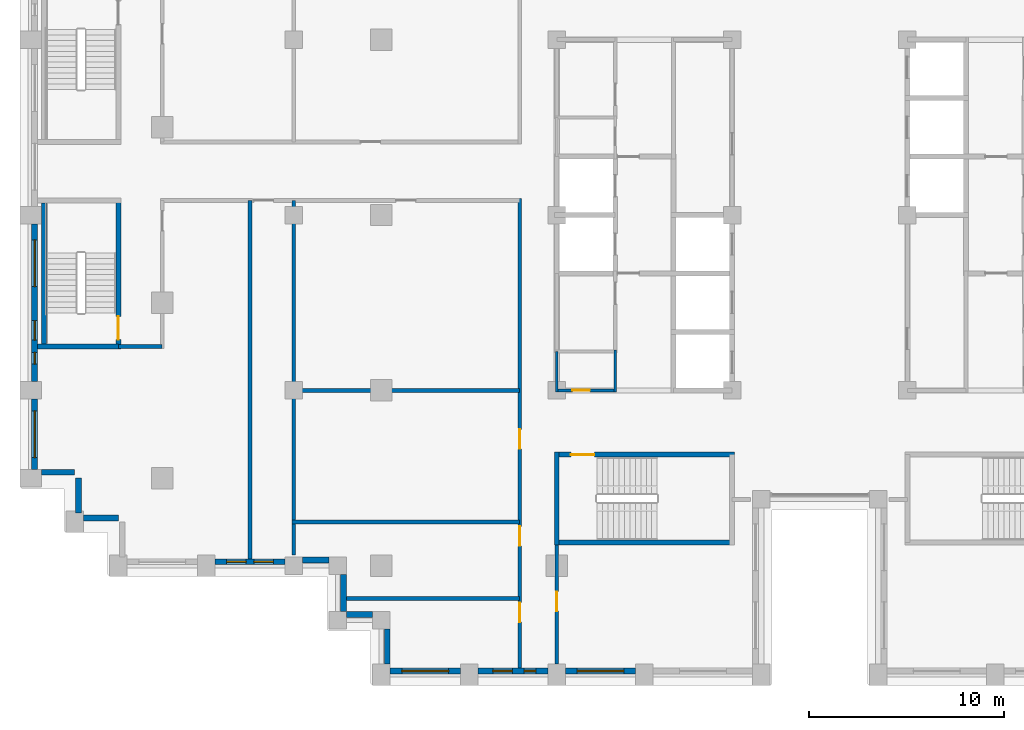
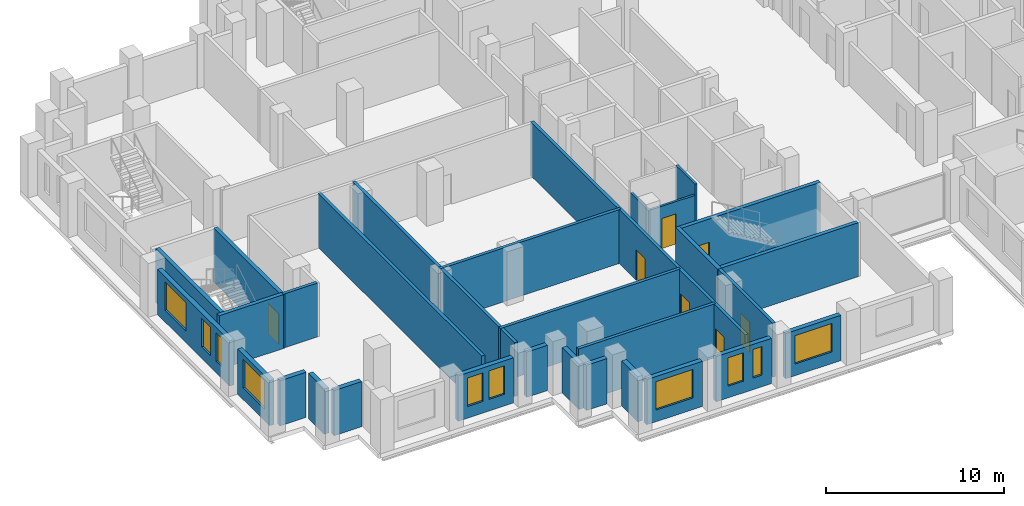
# One storey, part 6 of 15: 30 walls, 10 windows, 7 doors, 17 openings.
"""IFC4 building model written with IfcOpenShell, lengths in metres."""

from ifc_helpers import new_model, si_unit, direction, frame, frame_2d, origin, place, context, subcontext, project, spatial, rectangle, extrude, material, layer, layer_set, type_object, element, fill, save


model = new_model("IFC4")

# Units and contexts
model_context = context("Model", 3, precision=1e-05, world=origin(), true_north=direction((0.0, 1.0)))
body_context = subcontext(model_context, "Body", "Model", "MODEL_VIEW")
ifc_project = project(units=[si_unit("LENGTHUNIT", "METRE"), si_unit("AREAUNIT", "SQUARE_METRE"), si_unit("VOLUMEUNIT", "CUBIC_METRE"), si_unit("PLANEANGLEUNIT", "RADIAN"), si_unit("MASSUNIT", "GRAM", prefix="KILO")], contexts=[model_context])

# Site, building, storey
site_placement = place(None, origin())
site = spatial("IfcSite", under=ifc_project, at=site_placement, CompositionType="ELEMENT")
building_placement = place(site_placement, origin())
building = spatial("IfcBuilding", under=site, at=building_placement, Name="Corbelhall Arena Tower", CompositionType="ELEMENT")
storey_placement = place(building_placement, frame((0.0, 0.0, 146.0)))
storey = spatial("IfcBuildingStorey", under=building, at=storey_placement, Name="L28", CompositionType="ELEMENT", Elevation=146.0)

# Walls
ifc_material_1 = material(Name="Precast concrete C40/50 with granite facing", Category="masonry")
ifc_layer_1 = layer(ifc_material_1, 0.300048828125)
ifc_layer_set_1 = layer_set([ifc_layer_1], Name="EV-IW1 Infill panel 300")
wall_type_1 = type_object("IfcWallType", Name="EV-IW1 Infill panel 300", PredefinedType="SOLIDWALL", material=ifc_layer_set_1)
wall_1_placement = place(storey_placement, frame((-39.949951171875, -13.199951171875, 0.0), z_axis=(0.0, 0.0, 1.0), x_axis=(1.0, 0.0, 0.0)))
element("IfcWall", 1, at=wall_1_placement, inside=storey, type_object=wall_type_1, Name="Infill panel IW1", PredefinedType="SOLIDWALL", context=body_context, shape_type="SweptSolid", body=[
    extrude(rectangle(XDim=1.699951171875, YDim=0.300048828125, at=frame_2d((0.85009765625, 0.0))), origin(), (0.0, 0.0, 1.0), 3.10009765625),
])
for number, where, z_axis, x_axis, name in (
    (2, (-38.050048828125, -15.300048828125, 0.0), (0.0, 0.0, 1.0), (0.0, 1.0, 0.0), "Infill panel IW1"),
    (3, (-37.800048828125, -15.550048828125, 0.0), (0.0, 0.0, 1.0), (1.0, 0.0, 0.0), "Infill panel IW1"),
):
    element("IfcWall", number, at=place(storey_placement, frame(where, z_axis=z_axis, x_axis=x_axis)), inside=storey, type_object=wall_type_1, Name=name, PredefinedType="SOLIDWALL", context=body_context, shape_type="SweptSolid", body=[
        extrude(rectangle(XDim=1.800048828125, YDim=0.300048828125, at=frame_2d((0.89990234375, 0.0))), origin(), (0.0, 0.0, 1.0), 3.10009765625),
    ])

# Wall, openings, windows
wall_2_placement = place(storey_placement, frame((-40.300048828125, -0.449951171875, 0.0), z_axis=(0.0, 0.0, 1.0), x_axis=(0.0, -1.0, 0.0)))
wall_2 = element("IfcWall", 4, at=wall_2_placement, inside=storey, type_object=wall_type_1, Name="Infill panel IW1", PredefinedType="SOLIDWALL", context=body_context, shape_type="SweptSolid", body=[
    extrude(rectangle(XDim=8.10009765625, YDim=0.300048828125, at=frame_2d((4.050048828125, 0.0))), origin(), (0.0, 0.0, 1.0), 3.10009765625),
])
opening_1_placement = place(wall_2_placement, frame((0.824951171875, 0.0, 0.800048828125)))
opening_1 = element("IfcOpeningElement", 5, at=opening_1_placement, cuts=wall_2, Name="Opening WN1", PredefinedType="OPENING", context=body_context, shape_type="SweptSolid", body=[
    extrude(rectangle(XDim=2.39990234375, YDim=1.949951171875, at=frame_2d((1.199951171875, 0.97509765625))), frame((0.0, 0.14990234375, 0.0), z_axis=(0.0, -1.0, 0.0), x_axis=(1.0, 0.0, 0.0)), (0.0, 0.0, 1.0), 0.300048828125),
])
opening_2_placement = place(wall_2_placement, frame((4.97509765625, 0.0, 0.800048828125)))
opening_2 = element("IfcOpeningElement", 6, at=opening_2_placement, cuts=wall_2, Name="Opening WN6", PredefinedType="OPENING", context=body_context, shape_type="SweptSolid", body=[
    extrude(rectangle(XDim=1.0, YDim=1.949951171875, at=frame_2d((0.5, 0.97509765625))), frame((0.0, 0.14990234375, 0.0), z_axis=(0.0, -1.0, 0.0), x_axis=(1.0, 0.0, 0.0)), (0.0, 0.0, 1.0), 0.300048828125),
])
opening_3_placement = place(wall_2_placement, frame((6.60009765625, 0.0, 0.800048828125)))
opening_3 = element("IfcOpeningElement", 7, at=opening_3_placement, cuts=wall_2, Name="Opening WN5", PredefinedType="OPENING", context=body_context, shape_type="SweptSolid", body=[
    extrude(rectangle(XDim=0.60009765625, YDim=1.949951171875, at=frame_2d((0.300048828125, 0.97509765625))), frame((0.0, 0.14990234375, 0.0), z_axis=(0.0, -1.0, 0.0), x_axis=(1.0, 0.0, 0.0)), (0.0, 0.0, 1.0), 0.300048828125),
])
ifc_material_2 = material(Name="Aluminium black anodised", Category="aluminium")
window_type_1 = type_object("IfcWindowType", Name="EV-WN1 Office window", PartitioningType="SINGLE_PANEL", PredefinedType="WINDOW", material=ifc_material_2)
window_1_placement = place(opening_1_placement, origin())
window_1 = element("IfcWindow", 8, at=window_1_placement, inside=storey, type_object=window_type_1, Name="Window WN1", OverallHeight=1.949951171875, OverallWidth=2.39990234375, PartitioningType="SINGLE_PANEL", PredefinedType="WINDOW", context=body_context, shape_type="SweptSolid", body=[
    extrude(rectangle(XDim=2.39990234375, YDim=1.949951171875, at=frame_2d((1.199951171875, 0.97509765625))), frame((0.0, 0.030029296875, 0.0), z_axis=(0.0, -1.0, 0.0), x_axis=(1.0, 0.0, 0.0)), (0.0, 0.0, 1.0), 0.06005859375),
])
fill(opening_1, window_1)
window_type_2 = type_object("IfcWindowType", Name="EV-WN5 Office window 600", PartitioningType="SINGLE_PANEL", PredefinedType="WINDOW", material=ifc_material_2)
window_2_placement = place(opening_3_placement, origin())
window_2 = element("IfcWindow", 9, at=window_2_placement, inside=storey, type_object=window_type_2, Name="Window WN5", OverallHeight=1.949951171875, OverallWidth=0.60009765625, PartitioningType="SINGLE_PANEL", PredefinedType="WINDOW", context=body_context, shape_type="SweptSolid", body=[
    extrude(rectangle(XDim=0.60009765625, YDim=1.949951171875, at=frame_2d((0.300048828125, 0.97509765625))), frame((0.0, 0.030029296875, 0.0), z_axis=(0.0, -1.0, 0.0), x_axis=(1.0, 0.0, 0.0)), (0.0, 0.0, 1.0), 0.06005859375),
])
fill(opening_3, window_2)
window_type_3 = type_object("IfcWindowType", Name="EV-WN6 Office window 1000", PartitioningType="SINGLE_PANEL", PredefinedType="WINDOW", material=ifc_material_2)
window_3_placement = place(opening_2_placement, origin())
window_3 = element("IfcWindow", 10, at=window_3_placement, inside=storey, type_object=window_type_3, Name="Window WN6", OverallHeight=1.949951171875, OverallWidth=1.0, PartitioningType="SINGLE_PANEL", PredefinedType="WINDOW", context=body_context, shape_type="SweptSolid", body=[
    extrude(rectangle(XDim=1.0, YDim=1.949951171875, at=frame_2d((0.5, 0.97509765625))), frame((0.0, 0.030029296875, 0.0), z_axis=(0.0, -1.0, 0.0), x_axis=(1.0, 0.0, 0.0)), (0.0, 0.0, 1.0), 0.06005859375),
])
fill(opening_2, window_3)

# Wall, opening, window
wall_3_placement = place(storey_placement, frame((-40.300048828125, -9.449951171875, 0.0), z_axis=(0.0, 0.0, 1.0), x_axis=(0.0, -1.0, 0.0)))
wall_3 = element("IfcWall", 11, at=wall_3_placement, inside=storey, type_object=wall_type_1, Name="Infill panel IW1", PredefinedType="SOLIDWALL", context=body_context, shape_type="SweptSolid", body=[
    extrude(rectangle(XDim=3.60009765625, YDim=0.300048828125, at=frame_2d((1.800048828125, 0.0))), origin(), (0.0, 0.0, 1.0), 3.10009765625),
])
opening_4_placement = place(wall_3_placement, frame((0.60009765625, 0.0, 0.800048828125)))
opening_4 = element("IfcOpeningElement", 12, at=opening_4_placement, cuts=wall_3, Name="Opening WN1", PredefinedType="OPENING", context=body_context, shape_type="SweptSolid", body=[
    extrude(rectangle(XDim=2.39990234375, YDim=1.949951171875, at=frame_2d((1.199951171875, 0.97509765625))), frame((0.0, 0.14990234375, 0.0), z_axis=(0.0, -1.0, 0.0), x_axis=(1.0, 0.0, 0.0)), (0.0, 0.0, 1.0), 0.300048828125),
])
window_4_placement = place(opening_4_placement, origin())
window_4 = element("IfcWindow", 13, at=window_4_placement, inside=storey, type_object=window_type_1, Name="Window WN1", OverallHeight=1.949951171875, OverallWidth=2.39990234375, PartitioningType="SINGLE_PANEL", PredefinedType="WINDOW", context=body_context, shape_type="SweptSolid", body=[
    extrude(rectangle(XDim=2.39990234375, YDim=1.949951171875, at=frame_2d((1.199951171875, 0.97509765625))), frame((0.0, 0.030029296875, 0.0), z_axis=(0.0, -1.0, 0.0), x_axis=(1.0, 0.0, 0.0)), (0.0, 0.0, 1.0), 0.06005859375),
])
fill(opening_4, window_4)

# Wall, openings, windows
wall_4_placement = place(storey_placement, frame((-31.050048828125, -17.800048828125, 0.0), z_axis=(0.0, 0.0, 1.0), x_axis=(1.0, 0.0, 0.0)))
wall_4 = element("IfcWall", 14, at=wall_4_placement, inside=storey, type_object=wall_type_1, Name="Infill panel IW1", PredefinedType="SOLIDWALL", context=body_context, shape_type="SweptSolid", body=[
    extrude(rectangle(XDim=3.60009765625, YDim=0.300048828125, at=frame_2d((1.800048828125, 0.0))), origin(), (0.0, 0.0, 1.0), 3.10009765625),
])
opening_5_placement = place(wall_4_placement, frame((0.60009765625, 0.0, 0.800048828125)))
opening_5 = element("IfcOpeningElement", 15, at=opening_5_placement, cuts=wall_4, Name="Opening WN6", PredefinedType="OPENING", context=body_context, shape_type="SweptSolid", body=[
    extrude(rectangle(XDim=1.0, YDim=1.949951171875, at=frame_2d((0.5, 0.97509765625))), frame((0.0, 0.14990234375, 0.0), z_axis=(0.0, -1.0, 0.0), x_axis=(1.0, 0.0, 0.0)), (0.0, 0.0, 1.0), 0.300048828125),
])
opening_6_placement = place(wall_4_placement, frame((2.0, 0.0, 0.800048828125)))
opening_6 = element("IfcOpeningElement", 16, at=opening_6_placement, cuts=wall_4, Name="Opening WN6", PredefinedType="OPENING", context=body_context, shape_type="SweptSolid", body=[
    extrude(rectangle(XDim=1.0, YDim=1.949951171875, at=frame_2d((0.5, 0.97509765625))), frame((0.0, 0.14990234375, 0.0), z_axis=(0.0, -1.0, 0.0), x_axis=(1.0, 0.0, 0.0)), (0.0, 0.0, 1.0), 0.300048828125),
])
window_5_placement = place(opening_5_placement, origin())
window_5 = element("IfcWindow", 17, at=window_5_placement, inside=storey, type_object=window_type_3, Name="Window WN6", OverallHeight=1.949951171875, OverallWidth=1.0, PartitioningType="SINGLE_PANEL", PredefinedType="WINDOW", context=body_context, shape_type="SweptSolid", body=[
    extrude(rectangle(XDim=1.0, YDim=1.949951171875, at=frame_2d((0.5, 0.97509765625))), frame((0.0, 0.030029296875, 0.0), z_axis=(0.0, -1.0, 0.0), x_axis=(1.0, 0.0, 0.0)), (0.0, 0.0, 1.0), 0.06005859375),
])
fill(opening_5, window_5)
window_6_placement = place(opening_6_placement, origin())
window_6 = element("IfcWindow", 18, at=window_6_placement, inside=storey, type_object=window_type_3, Name="Window WN6", OverallHeight=1.949951171875, OverallWidth=1.0, PartitioningType="SINGLE_PANEL", PredefinedType="WINDOW", context=body_context, shape_type="SweptSolid", body=[
    extrude(rectangle(XDim=1.0, YDim=1.949951171875, at=frame_2d((0.5, 0.97509765625))), frame((0.0, 0.030029296875, 0.0), z_axis=(0.0, -1.0, 0.0), x_axis=(1.0, 0.0, 0.0)), (0.0, 0.0, 1.0), 0.06005859375),
])
fill(opening_6, window_6)

# Walls
wall_5_placement = place(storey_placement, frame((-26.550048828125, -17.699951171875, 0.0), z_axis=(0.0, 0.0, 1.0), x_axis=(1.0, 0.0, 0.0)))
element("IfcWall", 19, at=wall_5_placement, inside=storey, type_object=wall_type_1, Name="Infill panel IW1", PredefinedType="SOLIDWALL", context=body_context, shape_type="SweptSolid", body=[
    extrude(rectangle(XDim=1.35009765625, YDim=0.300048828125, at=frame_2d((0.675048828125, 0.0))), origin(), (0.0, 0.0, 1.0), 3.10009765625),
])
wall_6_placement = place(storey_placement, frame((-24.449951171875, -18.449951171875, 0.0), z_axis=(0.0, 0.0, 1.0), x_axis=(0.0, -1.0, 0.0)))
element("IfcWall", 20, at=wall_6_placement, inside=storey, type_object=wall_type_1, Name="Infill panel IW1", PredefinedType="SOLIDWALL", context=body_context, shape_type="SweptSolid", body=[
    extrude(rectangle(XDim=1.900146484375, YDim=0.300048828125, at=frame_2d((0.9501953125, 0.0))), origin(), (0.0, 0.0, 1.0), 3.10009765625),
])
wall_7_placement = place(storey_placement, frame((-24.300048828125, -20.5, 0.0), z_axis=(0.0, 0.0, 1.0), x_axis=(1.0, 0.0, 0.0)))
element("IfcWall", 21, at=wall_7_placement, inside=storey, type_object=wall_type_1, Name="Infill panel IW1", PredefinedType="SOLIDWALL", context=body_context, shape_type="SweptSolid", body=[
    extrude(rectangle(XDim=1.35009765625, YDim=0.300048828125, at=frame_2d((0.675048828125, 0.0))), origin(), (0.0, 0.0, 1.0), 3.10009765625),
])
wall_8_placement = place(storey_placement, frame((-22.199951171875, -21.25, 0.0), z_axis=(0.0, 0.0, 1.0), x_axis=(0.0, -1.0, 0.0)))
element("IfcWall", 22, at=wall_8_placement, inside=storey, type_object=wall_type_1, Name="Infill panel IW1", PredefinedType="SOLIDWALL", context=body_context, shape_type="SweptSolid", body=[
    extrude(rectangle(XDim=1.800048828125, YDim=0.300048828125, at=frame_2d((0.89990234375, 0.0))), origin(), (0.0, 0.0, 1.0), 3.10009765625),
])

# Wall, opening, window
wall_9_placement = place(storey_placement, frame((-22.050048828125, -23.39990234375, 0.0), z_axis=(0.0, 0.0, 1.0), x_axis=(1.0, 0.0, 0.0)))
wall_9 = element("IfcWall", 23, at=wall_9_placement, inside=storey, type_object=wall_type_1, Name="Infill panel IW1", PredefinedType="SOLIDWALL", context=body_context, shape_type="SweptSolid", body=[
    extrude(rectangle(XDim=3.60009765625, YDim=0.300048828125, at=frame_2d((1.800048828125, 0.0))), origin(), (0.0, 0.0, 1.0), 3.10009765625),
])
opening_7_placement = place(wall_9_placement, frame((0.60009765625, 0.0, 0.800048828125)))
opening_7 = element("IfcOpeningElement", 24, at=opening_7_placement, cuts=wall_9, Name="Opening WN1", PredefinedType="OPENING", context=body_context, shape_type="SweptSolid", body=[
    extrude(rectangle(XDim=2.39990234375, YDim=1.949951171875, at=frame_2d((1.199951171875, 0.97509765625))), frame((0.0, 0.14990234375, 0.0), z_axis=(0.0, -1.0, 0.0), x_axis=(1.0, 0.0, 0.0)), (0.0, 0.0, 1.0), 0.300048828125),
])
window_7_placement = place(opening_7_placement, origin())
window_7 = element("IfcWindow", 25, at=window_7_placement, inside=storey, type_object=window_type_1, Name="Window WN1", OverallHeight=1.949951171875, OverallWidth=2.39990234375, PartitioningType="SINGLE_PANEL", PredefinedType="WINDOW", context=body_context, shape_type="SweptSolid", body=[
    extrude(rectangle(XDim=2.39990234375, YDim=1.949951171875, at=frame_2d((1.199951171875, 0.97509765625))), frame((0.0, 0.030029296875, 0.0), z_axis=(0.0, -1.0, 0.0), x_axis=(1.0, 0.0, 0.0)), (0.0, 0.0, 1.0), 0.06005859375),
])
fill(opening_7, window_7)

# Wall, openings, windows
wall_10_placement = place(storey_placement, frame((-17.550048828125, -23.39990234375, 0.0), z_axis=(0.0, 0.0, 1.0), x_axis=(1.0, 0.0, 0.0)))
wall_10 = element("IfcWall", 26, at=wall_10_placement, inside=storey, type_object=wall_type_1, Name="Infill panel IW1", PredefinedType="SOLIDWALL", context=body_context, shape_type="SweptSolid", body=[
    extrude(rectangle(XDim=3.60009765625, YDim=0.300048828125, at=frame_2d((1.800048828125, 0.0))), origin(), (0.0, 0.0, 1.0), 3.10009765625),
])
opening_8_placement = place(wall_10_placement, frame((0.77490234375, 0.0, 0.800048828125)))
opening_8 = element("IfcOpeningElement", 27, at=opening_8_placement, cuts=wall_10, Name="Opening WN6", PredefinedType="OPENING", context=body_context, shape_type="SweptSolid", body=[
    extrude(rectangle(XDim=1.0, YDim=1.949951171875, at=frame_2d((0.5, 0.97509765625))), frame((0.0, 0.14990234375, 0.0), z_axis=(0.0, -1.0, 0.0), x_axis=(1.0, 0.0, 0.0)), (0.0, 0.0, 1.0), 0.300048828125),
])
opening_9_placement = place(wall_10_placement, frame((2.375, 0.0, 0.800048828125)))
opening_9 = element("IfcOpeningElement", 28, at=opening_9_placement, cuts=wall_10, Name="Opening WN5", PredefinedType="OPENING", context=body_context, shape_type="SweptSolid", body=[
    extrude(rectangle(XDim=0.60009765625, YDim=1.949951171875, at=frame_2d((0.300048828125, 0.97509765625))), frame((0.0, 0.14990234375, 0.0), z_axis=(0.0, -1.0, 0.0), x_axis=(1.0, 0.0, 0.0)), (0.0, 0.0, 1.0), 0.300048828125),
])
window_8_placement = place(opening_9_placement, origin())
window_8 = element("IfcWindow", 29, at=window_8_placement, inside=storey, type_object=window_type_2, Name="Window WN5", OverallHeight=1.949951171875, OverallWidth=0.60009765625, PartitioningType="SINGLE_PANEL", PredefinedType="WINDOW", context=body_context, shape_type="SweptSolid", body=[
    extrude(rectangle(XDim=0.60009765625, YDim=1.949951171875, at=frame_2d((0.300048828125, 0.97509765625))), frame((0.0, 0.030029296875, 0.0), z_axis=(0.0, -1.0, 0.0), x_axis=(1.0, 0.0, 0.0)), (0.0, 0.0, 1.0), 0.06005859375),
])
fill(opening_9, window_8)
window_9_placement = place(opening_8_placement, origin())
window_9 = element("IfcWindow", 30, at=window_9_placement, inside=storey, type_object=window_type_3, Name="Window WN6", OverallHeight=1.949951171875, OverallWidth=1.0, PartitioningType="SINGLE_PANEL", PredefinedType="WINDOW", context=body_context, shape_type="SweptSolid", body=[
    extrude(rectangle(XDim=1.0, YDim=1.949951171875, at=frame_2d((0.5, 0.97509765625))), frame((0.0, 0.030029296875, 0.0), z_axis=(0.0, -1.0, 0.0), x_axis=(1.0, 0.0, 0.0)), (0.0, 0.0, 1.0), 0.06005859375),
])
fill(opening_8, window_9)

# Wall, opening, window
wall_11_placement = place(storey_placement, frame((-13.050048828125, -23.39990234375, 0.0), z_axis=(0.0, 0.0, 1.0), x_axis=(1.0, 0.0, 0.0)))
wall_11 = element("IfcWall", 31, at=wall_11_placement, inside=storey, type_object=wall_type_1, Name="Infill panel IW1", PredefinedType="SOLIDWALL", context=body_context, shape_type="SweptSolid", body=[
    extrude(rectangle(XDim=3.60009765625, YDim=0.300048828125, at=frame_2d((1.800048828125, 0.0))), origin(), (0.0, 0.0, 1.0), 3.10009765625),
])
opening_10_placement = place(wall_11_placement, frame((0.60009765625, 0.0, 0.800048828125)))
opening_10 = element("IfcOpeningElement", 32, at=opening_10_placement, cuts=wall_11, Name="Opening WN1", PredefinedType="OPENING", context=body_context, shape_type="SweptSolid", body=[
    extrude(rectangle(XDim=2.39990234375, YDim=1.949951171875, at=frame_2d((1.199951171875, 0.97509765625))), frame((0.0, 0.14990234375, 0.0), z_axis=(0.0, -1.0, 0.0), x_axis=(1.0, 0.0, 0.0)), (0.0, 0.0, 1.0), 0.300048828125),
])
window_10_placement = place(opening_10_placement, origin())
window_10 = element("IfcWindow", 33, at=window_10_placement, inside=storey, type_object=window_type_1, Name="Window WN1", OverallHeight=1.949951171875, OverallWidth=2.39990234375, PartitioningType="SINGLE_PANEL", PredefinedType="WINDOW", context=body_context, shape_type="SweptSolid", body=[
    extrude(rectangle(XDim=2.39990234375, YDim=1.949951171875, at=frame_2d((1.199951171875, 0.97509765625))), frame((0.0, 0.030029296875, 0.0), z_axis=(0.0, -1.0, 0.0), x_axis=(1.0, 0.0, 0.0)), (0.0, 0.0, 1.0), 0.06005859375),
])
fill(opening_10, window_10)

# Walls
ifc_material_3 = material(Name="Gypsum board on steel stud, acoustic", Category="steel")
ifc_layer_2 = layer(ifc_material_3, 0.199951171875)
ifc_layer_set_2 = layer_set([ifc_layer_2], Name="IN-W-DM200")
wall_type_2 = type_object("IfcWallType", Name="IN-W-DM200", PredefinedType="PARTITIONING", material=ifc_layer_set_2)
wall_12_placement = place(storey_placement, frame((-33.75, -6.75, 0.0), z_axis=(0.0, 0.0, 1.0), x_axis=(-1.0, 0.0, 0.0)))
element("IfcWall", 34, at=wall_12_placement, inside=storey, type_object=wall_type_2, Name="Partition 003", PredefinedType="PARTITIONING", context=body_context, shape_type="SweptSolid", body=[
    extrude(rectangle(XDim=2.25, YDim=0.199951171875, at=frame_2d((1.125, 0.0))), origin(), (0.0, 0.0, 1.0), 3.699951171875),
])
wall_13_placement = place(storey_placement, frame((-29.25, 0.75, 0.0), z_axis=(0.0, 0.0, 1.0), x_axis=(0.0, -1.0, 0.0)))
element("IfcWall", 35, at=wall_13_placement, inside=storey, type_object=wall_type_2, Name="Partition 006", PredefinedType="PARTITIONING", context=body_context, shape_type="SweptSolid", body=[
    extrude(rectangle(XDim=18.39990234375, YDim=0.199951171875, at=frame_2d((9.199951171875, 0.0))), origin(), (0.0, 0.0, 1.0), 3.699951171875),
])
for number, where, z_axis, x_axis, name in (
    (36, (-27.10009765625, -15.75, 0.0), (0.0, 0.0, 1.0), (1.0, 0.0, 0.0), "Partition 008"),
    (37, (-27.10009765625, -9.0, 0.0), (0.0, 0.0, 1.0), (1.0, 0.0, 0.0), "Partition 009"),
):
    element("IfcWall", number, at=place(storey_placement, frame(where, z_axis=z_axis, x_axis=x_axis)), inside=storey, type_object=wall_type_2, Name=name, PredefinedType="PARTITIONING", context=body_context, shape_type="SweptSolid", body=[
        extrude(rectangle(XDim=11.7001953125, YDim=0.199951171875, at=frame_2d((5.85009765625, 0.0))), origin(), (0.0, 0.0, 1.0), 3.699951171875),
    ])
wall_14_placement = place(storey_placement, frame((-27.0, -17.449951171875, 0.0), z_axis=(0.0, 0.0, 1.0), x_axis=(0.0, 1.0, 0.0)))
element("IfcWall", 38, at=wall_14_placement, inside=storey, type_object=wall_type_2, Name="Partition 011", PredefinedType="PARTITIONING", context=body_context, shape_type="SweptSolid", body=[
    extrude(rectangle(XDim=18.199951171875, YDim=0.199951171875, at=frame_2d((9.10009765625, 0.0))), origin(), (0.0, 0.0, 1.0), 3.699951171875),
])
wall_15_placement = place(storey_placement, frame((-24.300048828125, -19.675048828125, 0.0), z_axis=(0.0, 0.0, 1.0), x_axis=(1.0, 0.0, 0.0)))
element("IfcWall", 39, at=wall_15_placement, inside=storey, type_object=wall_type_2, Name="Partition 013", PredefinedType="PARTITIONING", context=body_context, shape_type="SweptSolid", body=[
    extrude(rectangle(XDim=8.900146484375, YDim=0.199951171875, at=frame_2d((4.4501953125, 0.0))), origin(), (0.0, 0.0, 1.0), 3.699951171875),
])

# Wall, openings, doors
wall_16_placement = place(storey_placement, frame((-15.39990234375, -23.25, 0.0), z_axis=(0.0, 0.0, 1.0), x_axis=(0.0, 1.0, 0.0)))
wall_16 = element("IfcWall", 40, at=wall_16_placement, inside=storey, type_object=wall_type_2, Name="Partition 016", PredefinedType="PARTITIONING", context=body_context, shape_type="SweptSolid", body=[
    extrude(rectangle(XDim=24.10009765625, YDim=0.199951171875, at=frame_2d((12.050048828125, 0.0))), origin(), (0.0, 0.0, 1.0), 3.699951171875),
])
opening_11_placement = place(wall_16_placement, frame((2.35009765625, 0.0, 0.0)))
opening_11 = element("IfcOpeningElement", 41, at=opening_11_placement, cuts=wall_16, Name="Opening 07028", PredefinedType="OPENING", context=body_context, shape_type="SweptSolid", body=[
    extrude(rectangle(XDim=1.0, YDim=2.10009765625, at=frame_2d((0.5, 1.050048828125))), frame((0.0, 0.10009765625, 0.0), z_axis=(0.0, -1.0, 0.0), x_axis=(1.0, 0.0, 0.0)), (0.0, 0.0, 1.0), 0.199951171875),
])
opening_12_placement = place(wall_16_placement, frame((6.27490234375, 0.0, 0.0)))
opening_12 = element("IfcOpeningElement", 42, at=opening_12_placement, cuts=wall_16, Name="Opening 07029", PredefinedType="OPENING", context=body_context, shape_type="SweptSolid", body=[
    extrude(rectangle(XDim=1.0, YDim=2.10009765625, at=frame_2d((0.5, 1.050048828125))), frame((0.0, 0.10009765625, 0.0), z_axis=(0.0, -1.0, 0.0), x_axis=(1.0, 0.0, 0.0)), (0.0, 0.0, 1.0), 0.199951171875),
])
opening_13_placement = place(wall_16_placement, frame((11.25, 0.0, 0.0)))
opening_13 = element("IfcOpeningElement", 43, at=opening_13_placement, cuts=wall_16, Name="Opening 07030", PredefinedType="OPENING", context=body_context, shape_type="SweptSolid", body=[
    extrude(rectangle(XDim=1.0, YDim=2.10009765625, at=frame_2d((0.5, 1.050048828125))), frame((0.0, 0.10009765625, 0.0), z_axis=(0.0, -1.0, 0.0), x_axis=(1.0, 0.0, 0.0)), (0.0, 0.0, 1.0), 0.199951171875),
])
ifc_material_4 = material(Name="Steel door set", Category="steel")
door_type_1 = type_object("IfcDoorType", Name="IN-D-SW100", OperationType="NOTDEFINED", PredefinedType="DOOR", material=ifc_material_4)
door_1_placement = place(opening_11_placement, origin())
door_1 = element("IfcDoor", 44, at=door_1_placement, inside=storey, type_object=door_type_1, Name="Door 028", OperationType="SINGLE_SWING_LEFT", OverallHeight=2.10009765625, OverallWidth=1.0, PredefinedType="DOOR", context=body_context, shape_type="SweptSolid", body=[
    extrude(rectangle(XDim=1.0, YDim=2.10009765625, at=frame_2d((0.5, 1.050048828125))), frame((0.0, 0.02490234375, 0.0), z_axis=(0.0, -1.0, 0.0), x_axis=(1.0, 0.0, 0.0)), (0.0, 0.0, 1.0), 0.050048828125),
])
fill(opening_11, door_1)
door_2_placement = place(opening_12_placement, origin())
door_2 = element("IfcDoor", 45, at=door_2_placement, inside=storey, type_object=door_type_1, Name="Door 029", OperationType="SINGLE_SWING_RIGHT", OverallHeight=2.10009765625, OverallWidth=1.0, PredefinedType="DOOR", context=body_context, shape_type="SweptSolid", body=[
    extrude(rectangle(XDim=1.0, YDim=2.10009765625, at=frame_2d((0.5, 1.050048828125))), frame((0.0, 0.02490234375, 0.0), z_axis=(0.0, -1.0, 0.0), x_axis=(1.0, 0.0, 0.0)), (0.0, 0.0, 1.0), 0.050048828125),
])
fill(opening_12, door_2)
door_3_placement = place(opening_13_placement, origin())
door_3 = element("IfcDoor", 46, at=door_3_placement, inside=storey, type_object=door_type_1, Name="Door 030", OperationType="SINGLE_SWING_LEFT", OverallHeight=2.10009765625, OverallWidth=1.0, PredefinedType="DOOR", context=body_context, shape_type="SweptSolid", body=[
    extrude(rectangle(XDim=1.0, YDim=2.10009765625, at=frame_2d((0.5, 1.050048828125))), frame((0.0, 0.02490234375, 0.0), z_axis=(0.0, -1.0, 0.0), x_axis=(1.0, 0.0, 0.0)), (0.0, 0.0, 1.0), 0.050048828125),
])
fill(opening_13, door_3)

# Wall, opening, door
wall_17_placement = place(storey_placement, frame((-13.5, -16.675048828125, 0.0), z_axis=(0.0, 0.0, 1.0), x_axis=(0.0, -1.0, 0.0)))
wall_17 = element("IfcWall", 47, at=wall_17_placement, inside=storey, type_object=wall_type_2, Name="Partition 021", PredefinedType="PARTITIONING", context=body_context, shape_type="SweptSolid", body=[
    extrude(rectangle(XDim=6.375, YDim=0.199951171875, at=frame_2d((3.1875, 0.0))), origin(), (0.0, 0.0, 1.0), 3.699951171875),
])
opening_14_placement = place(wall_17_placement, frame((2.64990234375, 0.0, 0.0)))
opening_14 = element("IfcOpeningElement", 48, at=opening_14_placement, cuts=wall_17, Name="Opening 07024", PredefinedType="OPENING", context=body_context, shape_type="SweptSolid", body=[
    extrude(rectangle(XDim=1.0, YDim=2.10009765625, at=frame_2d((0.5, 1.050048828125))), frame((0.0, 0.10009765625, 0.0), z_axis=(0.0, -1.0, 0.0), x_axis=(1.0, 0.0, 0.0)), (0.0, 0.0, 1.0), 0.199951171875),
])
door_4_placement = place(opening_14_placement, origin())
door_4 = element("IfcDoor", 49, at=door_4_placement, inside=storey, type_object=door_type_1, Name="Door 024", OperationType="SINGLE_SWING_LEFT", OverallHeight=2.10009765625, OverallWidth=1.0, PredefinedType="DOOR", context=body_context, shape_type="SweptSolid", body=[
    extrude(rectangle(XDim=1.0, YDim=2.10009765625, at=frame_2d((0.5, 1.050048828125))), frame((0.0, 0.02490234375, 0.0), z_axis=(0.0, -1.0, 0.0), x_axis=(1.0, 0.0, 0.0)), (0.0, 0.0, 1.0), 0.050048828125),
])
fill(opening_14, door_4)

# Wall
ifc_material_5 = material(Name="Concrete C40/50", Category="concrete")
ifc_layer_3 = layer(ifc_material_5, 0.25)
ifc_layer_set_3 = layer_set([ifc_layer_3], Name="IN-W-ST250")
wall_type_3 = type_object("IfcWallType", Name="IN-W-ST250", PredefinedType="SOLIDWALL", material=ifc_layer_set_3)
wall_18_placement = place(storey_placement, frame((-36.0, -6.75, 0.0), z_axis=(0.0, 0.0, 1.0), x_axis=(-1.0, 0.0, 0.0)))
element("IfcWall", 50, at=wall_18_placement, inside=storey, type_object=wall_type_3, Name="Shaft wall 085", PredefinedType="SOLIDWALL", context=body_context, shape_type="SweptSolid", body=[
    extrude(rectangle(XDim=4.14990234375, YDim=0.25, at=frame_2d((2.074951171875, 0.0))), origin(), (0.0, 0.0, 1.0), 3.699951171875),
])

# Wall, opening, door
wall_19_placement = place(storey_placement, frame((-36.0, 0.75, 0.0), z_axis=(0.0, 0.0, 1.0), x_axis=(0.0, -1.0, 0.0)))
wall_19 = element("IfcWall", 51, at=wall_19_placement, inside=storey, type_object=wall_type_3, Name="Shaft wall 086", PredefinedType="SOLIDWALL", context=body_context, shape_type="SweptSolid", body=[
    extrude(rectangle(XDim=7.625, YDim=0.25, at=frame_2d((3.8125, 0.0))), origin(), (0.0, 0.0, 1.0), 3.699951171875),
])
opening_15_placement = place(wall_19_placement, frame((5.949951171875, 0.0, 0.0)))
opening_15 = element("IfcOpeningElement", 52, at=opening_15_placement, cuts=wall_19, Name="Opening 07019", PredefinedType="OPENING", context=body_context, shape_type="SweptSolid", body=[
    extrude(rectangle(XDim=1.199951171875, YDim=2.10009765625, at=frame_2d((0.60009765625, 1.050048828125))), frame((0.0, 0.125, 0.0), z_axis=(0.0, -1.0, 0.0), x_axis=(1.0, 0.0, 0.0)), (0.0, 0.0, 1.0), 0.25),
])
door_type_2 = type_object("IfcDoorType", Name="IN-D-ST120", OperationType="NOTDEFINED", PredefinedType="DOOR", material=ifc_material_4)
door_5_placement = place(opening_15_placement, origin())
door_5 = element("IfcDoor", 53, at=door_5_placement, inside=storey, type_object=door_type_2, Name="Door 019", OperationType="SINGLE_SWING_RIGHT", OverallHeight=2.10009765625, OverallWidth=1.199951171875, PredefinedType="DOOR", context=body_context, shape_type="SweptSolid", body=[
    extrude(rectangle(XDim=1.199951171875, YDim=2.10009765625, at=frame_2d((0.60009765625, 1.050048828125))), frame((0.0, 0.02490234375, 0.0), z_axis=(0.0, -1.0, 0.0), x_axis=(1.0, 0.0, 0.0)), (0.0, 0.0, 1.0), 0.050048828125),
])
fill(opening_15, door_5)

# Walls
wall_20_placement = place(storey_placement, frame((-13.5, -12.175048828125, 0.0), z_axis=(0.0, 0.0, 1.0), x_axis=(0.0, -1.0, 0.0)))
element("IfcWall", 54, at=wall_20_placement, inside=storey, type_object=wall_type_3, Name="Shaft wall 089", PredefinedType="SOLIDWALL", context=body_context, shape_type="SweptSolid", body=[
    extrude(rectangle(XDim=4.75, YDim=0.25, at=frame_2d((2.375, 0.0))), origin(), (0.0, 0.0, 1.0), 3.699951171875),
])
wall_21_placement = place(storey_placement, frame((-4.5, -16.800048828125, 0.0), z_axis=(0.0, 0.0, 1.0), x_axis=(-1.0, 0.0, 0.0)))
element("IfcWall", 55, at=wall_21_placement, inside=storey, type_object=wall_type_3, Name="Shaft wall 093", PredefinedType="SOLIDWALL", context=body_context, shape_type="SweptSolid", body=[
    extrude(rectangle(XDim=9.0, YDim=0.25, at=frame_2d((4.5, 0.0))), origin(), (0.0, 0.0, 1.0), 3.699951171875),
])

# Wall, opening, door
wall_22_placement = place(storey_placement, frame((-4.375, -12.300048828125, 0.0), z_axis=(0.0, 0.0, 1.0), x_axis=(-1.0, 0.0, 0.0)))
wall_22 = element("IfcWall", 56, at=wall_22_placement, inside=storey, type_object=wall_type_3, Name="Shaft wall 096", PredefinedType="SOLIDWALL", context=body_context, shape_type="SweptSolid", body=[
    extrude(rectangle(XDim=9.125, YDim=0.25, at=frame_2d((4.5625, 0.0))), origin(), (0.0, 0.0, 1.0), 3.699951171875),
])
opening_16_placement = place(wall_22_placement, frame((7.199951171875, 0.0, 0.0)))
opening_16 = element("IfcOpeningElement", 57, at=opening_16_placement, cuts=wall_22, Name="Opening 07015", PredefinedType="OPENING", context=body_context, shape_type="SweptSolid", body=[
    extrude(rectangle(XDim=1.199951171875, YDim=2.10009765625, at=frame_2d((0.60009765625, 1.050048828125))), frame((0.0, 0.125, 0.0), z_axis=(0.0, -1.0, 0.0), x_axis=(1.0, 0.0, 0.0)), (0.0, 0.0, 1.0), 0.25),
])
door_6_placement = place(opening_16_placement, origin())
door_6 = element("IfcDoor", 58, at=door_6_placement, inside=storey, type_object=door_type_2, Name="Door 015", OperationType="SINGLE_SWING_RIGHT", OverallHeight=2.10009765625, OverallWidth=1.199951171875, PredefinedType="DOOR", context=body_context, shape_type="SweptSolid", body=[
    extrude(rectangle(XDim=1.199951171875, YDim=2.10009765625, at=frame_2d((0.60009765625, 1.050048828125))), frame((0.0, 0.02490234375, 0.0), z_axis=(0.0, -1.0, 0.0), x_axis=(1.0, 0.0, 0.0)), (0.0, 0.0, 1.0), 0.050048828125),
])
fill(opening_16, door_6)

# Walls
wall_23_placement = place(storey_placement, frame((-39.824951171875, -6.625, 0.0), z_axis=(0.0, 0.0, 1.0), x_axis=(0.0, 1.0, 0.0)))
element("IfcWall", 59, at=wall_23_placement, inside=storey, type_object=wall_type_3, Name="Shaft wall SC2 facade side", PredefinedType="SOLIDWALL", context=body_context, shape_type="SweptSolid", body=[
    extrude(rectangle(XDim=7.25, YDim=0.25, at=frame_2d((3.625, 0.0))), origin(), (0.0, 0.0, 1.0), 3.699951171875),
])
ifc_material_6 = material(Name="Gypsum board on steel stud, moisture resistant", Category="steel")
ifc_layer_4 = layer(ifc_material_6, 0.14990234375)
ifc_layer_set_4 = layer_set([ifc_layer_4], Name="IN-W-WC150")
wall_type_4 = type_object("IfcWallType", Name="IN-W-WC150", PredefinedType="PARTITIONING", material=ifc_layer_set_4)
wall_24_placement = place(storey_placement, frame((-10.5, -9.074951171875, 0.0), z_axis=(0.0, 0.0, 1.0), x_axis=(0.0, 1.0, 0.0)))
element("IfcWall", 60, at=wall_24_placement, inside=storey, type_object=wall_type_4, Name="Partition 115", PredefinedType="PARTITIONING", context=body_context, shape_type="SweptSolid", body=[
    extrude(rectangle(XDim=2.14990234375, YDim=0.14990234375, at=frame_2d((1.074951171875, 0.0))), origin(), (0.0, 0.0, 1.0), 3.699951171875),
])
ifc_layer_5 = layer(ifc_material_6, 0.14990234375)
ifc_layer_set_5 = layer_set([ifc_layer_5], Name="IN-W-WC150 under beam 762 mm")
wall_type_5 = type_object("IfcWallType", Name="IN-W-WC150 under beam 762 mm", PredefinedType="PARTITIONING", material=ifc_layer_set_5)
wall_25_placement = place(storey_placement, frame((-13.5, -9.074951171875, 0.0), z_axis=(0.0, 0.0, 1.0), x_axis=(0.0, 1.0, 0.0)))
element("IfcWall", 61, at=wall_25_placement, inside=storey, type_object=wall_type_5, Name="Partition 113", PredefinedType="PARTITIONING", context=body_context, shape_type="SweptSolid", body=[
    extrude(rectangle(XDim=2.074951171875, YDim=0.14990234375, at=frame_2d((1.03759765625, 0.0))), origin(), (0.0, 0.0, 1.0), 2.93798828125),
])

# Wall, opening, door
wall_26_placement = place(storey_placement, frame((-10.5, -9.0, 0.0), z_axis=(0.0, 0.0, 1.0), x_axis=(-1.0, 0.0, 0.0)))
wall_26 = element("IfcWall", 62, at=wall_26_placement, inside=storey, type_object=wall_type_5, Name="Partition 116", PredefinedType="PARTITIONING", context=body_context, shape_type="SweptSolid", body=[
    extrude(rectangle(XDim=3.0, YDim=0.14990234375, at=frame_2d((1.5, 0.0))), origin(), (0.0, 0.0, 1.0), 2.93798828125),
])
opening_17_placement = place(wall_26_placement, frame((1.300048828125, 0.0, 0.0)))
opening_17 = element("IfcOpeningElement", 63, at=opening_17_placement, cuts=wall_26, Name="Opening 07004", PredefinedType="OPENING", context=body_context, shape_type="SweptSolid", body=[
    extrude(rectangle(XDim=0.89990234375, YDim=2.10009765625, at=frame_2d((0.449951171875, 1.050048828125))), frame((0.0, 0.074951171875, 0.0), z_axis=(0.0, -1.0, 0.0), x_axis=(1.0, 0.0, 0.0)), (0.0, 0.0, 1.0), 0.14990234375),
])
ifc_material_7 = material(Name="Timber door set", Category="wood")
door_type_3 = type_object("IfcDoorType", Name="IN-D-SW90", OperationType="NOTDEFINED", PredefinedType="DOOR", material=ifc_material_7)
door_7_placement = place(opening_17_placement, origin())
door_7 = element("IfcDoor", 64, at=door_7_placement, inside=storey, type_object=door_type_3, Name="Door 004", OperationType="SINGLE_SWING_LEFT", OverallHeight=2.10009765625, OverallWidth=0.89990234375, PredefinedType="DOOR", context=body_context, shape_type="SweptSolid", body=[
    extrude(rectangle(XDim=0.89990234375, YDim=2.10009765625, at=frame_2d((0.449951171875, 1.050048828125))), frame((0.0, 0.02490234375, 0.0), z_axis=(0.0, -1.0, 0.0), x_axis=(1.0, 0.0, 0.0)), (0.0, 0.0, 1.0), 0.050048828125),
])
fill(opening_17, door_7)

save(model, "model.ifc")
